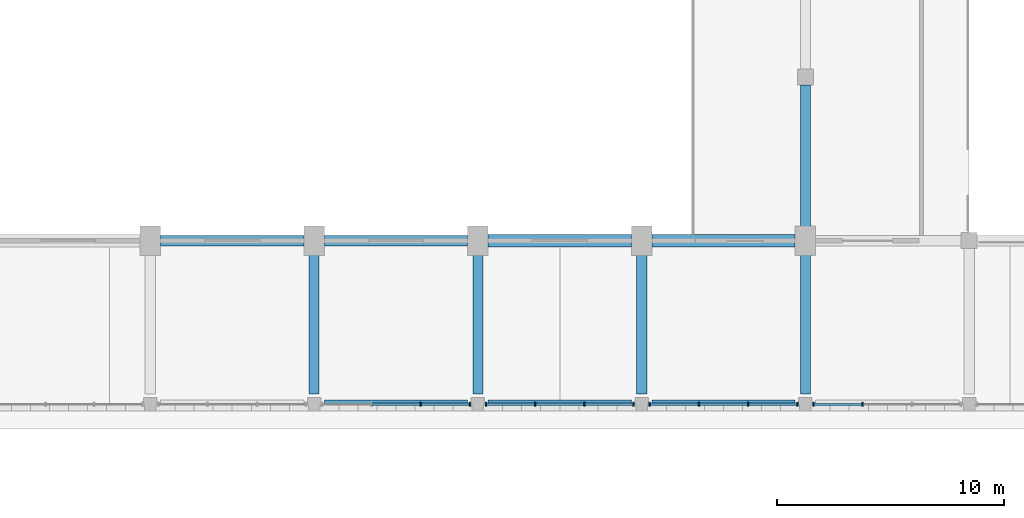
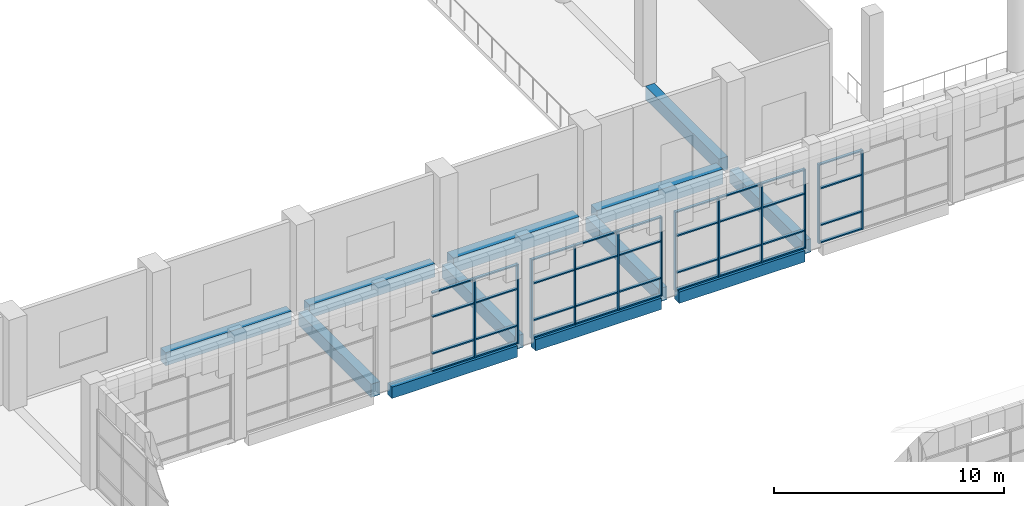
# One storey, part 23 of 80: 48 members, 12 beams, 4 elements without a shape of their own.
"""IFC4 building model written with IfcOpenShell, lengths in metres."""

from ifc_helpers import new_model, si_unit, direction, frame, origin, origin_2d, place, context, subcontext, project, spatial, rectangle, extrude, material, material_profile, profile_set, type_object, element, aggregate, save


model = new_model("IFC4")

# Units and contexts
model_context = context("Model", 3, precision=1e-05, world=origin(), true_north=direction((0.0, 1.0)))
body_context = subcontext(model_context, "Body", "Model", "MODEL_VIEW")
ifc_project = project(units=[si_unit("LENGTHUNIT", "METRE"), si_unit("AREAUNIT", "SQUARE_METRE"), si_unit("VOLUMEUNIT", "CUBIC_METRE"), si_unit("PLANEANGLEUNIT", "RADIAN"), si_unit("MASSUNIT", "GRAM", prefix="KILO")], contexts=[model_context])

# Site, building, storey
site_placement = place(None, origin())
site = spatial("IfcSite", under=ifc_project, at=site_placement, CompositionType="ELEMENT")
building_placement = place(site_placement, origin())
building = spatial("IfcBuilding", under=site, at=building_placement, Name="Sardonyx Promenade Sports Hall", CompositionType="ELEMENT")
storey_placement = place(building_placement, frame((0.0, 0.0, 5.60009765625)))
storey = spatial("IfcBuildingStorey", under=building, at=storey_placement, Name="L01", CompositionType="ELEMENT", Elevation=5.60009765625)

# Beams
ifc_material_1 = material(Name="Concrete C40/50", Category="concrete")
ifc_material_profile_1 = material_profile(ifc_material_1, rectangle(XDim=0.550048828125, YDim=0.800048828125, at=origin_2d()))
ifc_profile_set_1 = profile_set([ifc_material_profile_1], Name="Concrete C40/50")
beam_type_1 = type_object("IfcBeamType", Name="Bm_Girder_RC800", PredefinedType="BEAM", material=ifc_profile_set_1)
for number, where, z_axis, x_axis, name in (
    (1, (65.25, 72.0, -0.400146484375), (1.0, 0.0, 0.0), (0.0, 1.0, 0.0), "Beam BG04 L01 #272"),
    (2, (72.449951171875, 72.0, -0.400146484375), (1.0, 0.0, 0.0), (0.0, 1.0, 0.0), "Beam BG04 L01 #273"),
):
    element("IfcBeam", number, at=place(storey_placement, frame(where, z_axis=z_axis, x_axis=x_axis)), inside=storey, type_object=beam_type_1, Name=name, PredefinedType="BEAM", context=body_context, shape_type="SweptSolid", body=[
        extrude(rectangle(XDim=0.550048828125, YDim=0.800048828125, at=origin_2d()), origin(), (0.0, 0.0, 1.0), 6.300048828125),
    ])
ifc_material_2 = material(Name="Concrete C40/50", Category="concrete")
ifc_material_profile_2 = material_profile(ifc_material_2, rectangle(XDim=0.449951171875, YDim=0.699951171875, at=origin_2d()))
ifc_profile_set_2 = profile_set([ifc_material_profile_2], Name="Concrete C40/50")
beam_type_2 = type_object("IfcBeamType", Name="Bm_Primary_RC700", PredefinedType="BEAM", material=ifc_profile_set_2)
beam_1_placement = place(storey_placement, frame((50.85009765625, 72.0, -0.35009765625), z_axis=(1.0, 0.0, 0.0), x_axis=(0.0, 1.0, 0.0)))
element("IfcBeam", 3, at=beam_1_placement, inside=storey, type_object=beam_type_2, Name="Beam BG01 L01 #270", PredefinedType="BEAM", context=body_context, shape_type="SweptSolid", body=[
    extrude(rectangle(XDim=0.449951171875, YDim=0.699951171875, at=origin_2d()), origin(), (0.0, 0.0, 1.0), 6.2998046875),
])
for number, where, z_axis, x_axis, name in (
    (4, (58.050048828125, 72.0, -0.35009765625), (1.0, 0.0, 0.0), (0.0, 1.0, 0.0), "Beam BG01 L01 #271"),
    (5, (57.60009765625, 65.25, -0.35009765625), (0.0, 1.0, 0.0), (-1.0, 0.0, 0.0), "Beam BG01 L01 #337"),
    (6, (64.800048828125, 65.25, -0.35009765625), (0.0, 1.0, 0.0), (-1.0, 0.0, 0.0), "Beam BG01 L01 #338"),
    (7, (72.0, 65.25, -0.35009765625), (0.0, 1.0, 0.0), (-1.0, 0.0, 0.0), "Beam BG01 L01 #345"),
    (8, (79.199951171875, 65.25, -0.35009765625), (0.0, 1.0, 0.0), (-1.0, 0.0, 0.0), "Beam BG01 L01 #346"),
):
    element("IfcBeam", number, at=place(storey_placement, frame(where, z_axis=z_axis, x_axis=x_axis)), inside=storey, type_object=beam_type_2, Name=name, PredefinedType="BEAM", context=body_context, shape_type="SweptSolid", body=[
        extrude(rectangle(XDim=0.449951171875, YDim=0.699951171875, at=origin_2d()), origin(), (0.0, 0.0, 1.0), 6.300048828125),
    ])
beam_2_placement = place(storey_placement, frame((79.199951171875, 72.449951171875, -0.35009765625), z_axis=(0.0, 1.0, 0.0), x_axis=(-1.0, 0.0, 0.0)))
element("IfcBeam", 9, at=beam_2_placement, inside=storey, type_object=beam_type_2, Name="Beam BG01 L01 #347", PredefinedType="BEAM", context=body_context, shape_type="SweptSolid", body=[
    extrude(rectangle(XDim=0.449951171875, YDim=0.699951171875, at=origin_2d()), origin(), (0.0, 0.0, 1.0), 6.400146484375),
])
ifc_material_3 = material(Name="Concrete C40/50", Category="concrete")
ifc_material_profile_3 = material_profile(ifc_material_3, rectangle(XDim=0.39990234375, YDim=0.60009765625, at=origin_2d()))
ifc_profile_set_3 = profile_set([ifc_material_profile_3], Name="Concrete C40/50")
beam_type_3 = type_object("IfcBeamType", Name="Bm_Spandrel_RC600", PredefinedType="SPANDREL", material=ifc_profile_set_3)
for number, where, z_axis, x_axis, name in (
    (10, (58.050048828125, 64.800048828125, -0.300048828125), (1.0, 0.0, 0.0), (0.0, 1.0, 0.0), "Beam SPB1 L01 #259"),
    (11, (65.25, 64.800048828125, -0.300048828125), (1.0, 0.0, 0.0), (0.0, 1.0, 0.0), "Beam SPB1 L01 #260"),
    (12, (72.449951171875, 64.800048828125, -0.300048828125), (1.0, 0.0, 0.0), (0.0, 1.0, 0.0), "Beam SPB1 L01 #261"),
):
    element("IfcBeam", number, at=place(storey_placement, frame(where, z_axis=z_axis, x_axis=x_axis)), inside=storey, type_object=beam_type_3, Name=name, PredefinedType="SPANDREL", context=body_context, shape_type="SweptSolid", body=[
        extrude(rectangle(XDim=0.39990234375, YDim=0.60009765625, at=origin_2d()), origin(), (0.0, 0.0, 1.0), 6.300048828125),
    ])

# Curtain wall, members
ifc_material_4 = material(Name="Aluminium 6063-T6", Category="aluminium")
curtain_wall_type = type_object("IfcCurtainWallType", Name="CW_Riwaq_L01_640", PredefinedType="USERDEFINED", material=ifc_material_4)
curtain_wall_1_placement = place(storey_placement, origin())
curtain_wall_1 = element("IfcCurtainWall", 13, at=curtain_wall_1_placement, inside=storey, type_object=curtain_wall_type, Name="Curtain wall CW18 cw:L01:131", ObjectType="CURTAIN WALL", PredefinedType="USERDEFINED")
ifc_material_5 = material(Name="Aluminium 6063-T6", Category="aluminium")
ifc_material_profile_4 = material_profile(ifc_material_5, rectangle(XDim=0.06494140625, YDim=0.175048828125, at=origin_2d()))
ifc_profile_set_4 = profile_set([ifc_material_profile_4], Name="Aluminium 6063-T6")
member_type_1 = type_object("IfcMemberType", Name="CW_Mull_175", PredefinedType="MULLION", material=ifc_profile_set_4)
member_1_placement = place(storey_placement, frame((64.447509765625, 64.800048828125, 0.0), z_axis=(0.0, 0.0, 1.0), x_axis=(-1.0, 0.0, 0.0)))
member_1 = element("IfcMember", 14, at=member_1_placement, type_object=member_type_1, Name="Mullion CM02 cw:L01:131 #1", PredefinedType="MULLION", context=body_context, shape_type="SweptSolid", body=[
    extrude(rectangle(XDim=0.06494140625, YDim=0.175048828125, at=origin_2d()), origin(), (0.0, 0.0, 1.0), 4.199951171875),
])
member_2_placement = place(storey_placement, frame((62.282470703125, 64.800048828125, 0.0), z_axis=(0.0, 0.0, 1.0), x_axis=(-1.0, 0.0, 0.0)))
member_2 = element("IfcMember", 15, at=member_2_placement, type_object=member_type_1, Name="Mullion CM02 cw:L01:131 #2", PredefinedType="MULLION", context=body_context, shape_type="SweptSolid", body=[
    extrude(rectangle(XDim=0.06494140625, YDim=0.175048828125, at=origin_2d()), origin(), (0.0, 0.0, 1.0), 4.199951171875),
])

curtain_wall_2_placement = place(storey_placement, origin())
curtain_wall_2 = element("IfcCurtainWall", 16, at=curtain_wall_2_placement, inside=storey, type_object=curtain_wall_type, Name="Curtain wall CW18 cw:L01:133", ObjectType="CURTAIN WALL", PredefinedType="USERDEFINED")
member_3_placement = place(storey_placement, frame((71.6474609375, 64.800048828125, 0.0), z_axis=(0.0, 0.0, 1.0), x_axis=(-1.0, 0.0, 0.0)))
member_3 = element("IfcMember", 17, at=member_3_placement, type_object=member_type_1, Name="Mullion CM02 cw:L01:133 #1", PredefinedType="MULLION", context=body_context, shape_type="SweptSolid", body=[
    extrude(rectangle(XDim=0.06494140625, YDim=0.175048828125, at=origin_2d()), origin(), (0.0, 0.0, 1.0), 4.199951171875),
])
member_4_placement = place(storey_placement, frame((69.482421875, 64.800048828125, 0.0), z_axis=(0.0, 0.0, 1.0), x_axis=(-1.0, 0.0, 0.0)))
member_4 = element("IfcMember", 18, at=member_4_placement, type_object=member_type_1, Name="Mullion CM02 cw:L01:133 #2", PredefinedType="MULLION", context=body_context, shape_type="SweptSolid", body=[
    extrude(rectangle(XDim=0.06494140625, YDim=0.175048828125, at=origin_2d()), origin(), (0.0, 0.0, 1.0), 4.199951171875),
])
member_5_placement = place(storey_placement, frame((67.3173828125, 64.800048828125, 0.0), z_axis=(0.0, 0.0, 1.0), x_axis=(-1.0, 0.0, 0.0)))
member_5 = element("IfcMember", 19, at=member_5_placement, type_object=member_type_1, Name="Mullion CM02 cw:L01:133 #3", PredefinedType="MULLION", context=body_context, shape_type="SweptSolid", body=[
    extrude(rectangle(XDim=0.06494140625, YDim=0.175048828125, at=origin_2d()), origin(), (0.0, 0.0, 1.0), 4.199951171875),
])
member_6_placement = place(storey_placement, frame((65.152587890625, 64.800048828125, 0.0), z_axis=(0.0, 0.0, 1.0), x_axis=(-1.0, 0.0, 0.0)))
member_6 = element("IfcMember", 20, at=member_6_placement, type_object=member_type_1, Name="Mullion CM02 cw:L01:133 #4", PredefinedType="MULLION", context=body_context, shape_type="SweptSolid", body=[
    extrude(rectangle(XDim=0.06494140625, YDim=0.175048828125, at=origin_2d()), origin(), (0.0, 0.0, 1.0), 4.199951171875),
])

curtain_wall_3_placement = place(storey_placement, origin())
curtain_wall_3 = element("IfcCurtainWall", 21, at=curtain_wall_3_placement, inside=storey, type_object=curtain_wall_type, Name="Curtain wall CW18 cw:L01:135", ObjectType="CURTAIN WALL", PredefinedType="USERDEFINED")
member_7_placement = place(storey_placement, frame((78.847412109375, 64.800048828125, 0.0), z_axis=(0.0, 0.0, 1.0), x_axis=(-1.0, 0.0, 0.0)))
member_7 = element("IfcMember", 22, at=member_7_placement, type_object=member_type_1, Name="Mullion CM02 cw:L01:135 #1", PredefinedType="MULLION", context=body_context, shape_type="SweptSolid", body=[
    extrude(rectangle(XDim=0.06494140625, YDim=0.175048828125, at=origin_2d()), origin(), (0.0, 0.0, 1.0), 4.199951171875),
])
member_8_placement = place(storey_placement, frame((76.6826171875, 64.800048828125, 0.0), z_axis=(0.0, 0.0, 1.0), x_axis=(-1.0, 0.0, 0.0)))
member_8 = element("IfcMember", 23, at=member_8_placement, type_object=member_type_1, Name="Mullion CM02 cw:L01:135 #2", PredefinedType="MULLION", context=body_context, shape_type="SweptSolid", body=[
    extrude(rectangle(XDim=0.06494140625, YDim=0.175048828125, at=origin_2d()), origin(), (0.0, 0.0, 1.0), 4.199951171875),
])
member_9_placement = place(storey_placement, frame((74.517578125, 64.800048828125, 0.0), z_axis=(0.0, 0.0, 1.0), x_axis=(-1.0, 0.0, 0.0)))
member_9 = element("IfcMember", 24, at=member_9_placement, type_object=member_type_1, Name="Mullion CM02 cw:L01:135 #3", PredefinedType="MULLION", context=body_context, shape_type="SweptSolid", body=[
    extrude(rectangle(XDim=0.06494140625, YDim=0.175048828125, at=origin_2d()), origin(), (0.0, 0.0, 1.0), 4.199951171875),
])
member_10_placement = place(storey_placement, frame((72.3525390625, 64.800048828125, 0.0), z_axis=(0.0, 0.0, 1.0), x_axis=(-1.0, 0.0, 0.0)))
member_10 = element("IfcMember", 25, at=member_10_placement, type_object=member_type_1, Name="Mullion CM02 cw:L01:135 #4", PredefinedType="MULLION", context=body_context, shape_type="SweptSolid", body=[
    extrude(rectangle(XDim=0.06494140625, YDim=0.175048828125, at=origin_2d()), origin(), (0.0, 0.0, 1.0), 4.199951171875),
])

curtain_wall_4_placement = place(storey_placement, origin())
curtain_wall_4 = element("IfcCurtainWall", 26, at=curtain_wall_4_placement, inside=storey, type_object=curtain_wall_type, Name="Curtain wall CW18 cw:L01:137", ObjectType="CURTAIN WALL", PredefinedType="USERDEFINED")
member_11_placement = place(storey_placement, frame((81.717529296875, 64.800048828125, 0.0), z_axis=(0.0, 0.0, 1.0), x_axis=(-1.0, 0.0, 0.0)))
member_11 = element("IfcMember", 27, at=member_11_placement, type_object=member_type_1, Name="Mullion CM02 cw:L01:137 #3", PredefinedType="MULLION", context=body_context, shape_type="SweptSolid", body=[
    extrude(rectangle(XDim=0.06494140625, YDim=0.175048828125, at=origin_2d()), origin(), (0.0, 0.0, 1.0), 4.199951171875),
])
member_12_placement = place(storey_placement, frame((79.552490234375, 64.800048828125, 0.0), z_axis=(0.0, 0.0, 1.0), x_axis=(-1.0, 0.0, 0.0)))
member_12 = element("IfcMember", 28, at=member_12_placement, type_object=member_type_1, Name="Mullion CM02 cw:L01:137 #4", PredefinedType="MULLION", context=body_context, shape_type="SweptSolid", body=[
    extrude(rectangle(XDim=0.06494140625, YDim=0.175048828125, at=origin_2d()), origin(), (0.0, 0.0, 1.0), 4.199951171875),
])

# Member
ifc_material_6 = material(Name="Aluminium 6063-T6", Category="aluminium")
ifc_material_profile_5 = material_profile(ifc_material_6, rectangle(XDim=0.06494140625, YDim=0.139892578125, at=origin_2d()))
ifc_profile_set_5 = profile_set([ifc_material_profile_5], Name="Aluminium 6063-T6")
member_type_2 = type_object("IfcMemberType", Name="CW_Tran_140", PredefinedType="USERDEFINED", material=ifc_profile_set_5)
member_13_placement = place(storey_placement, frame((64.4150390625, 64.800048828125, 0.032470703125), z_axis=(-1.0, 0.0, 0.0), x_axis=(0.0, 0.0, 1.0)))
member_13 = element("IfcMember", 29, at=member_13_placement, type_object=member_type_2, Name="Transom CT02 cw:L01:131 #1", ObjectType="TRANSOM", PredefinedType="USERDEFINED", context=body_context, shape_type="SweptSolid", body=[
    extrude(rectangle(XDim=0.06494140625, YDim=0.139892578125, at=origin_2d()), origin(), (0.0, 0.0, 1.0), 2.10009765625),
])

member_14_placement = place(storey_placement, frame((64.4150390625, 64.800048828125, 0.949951171875), z_axis=(-1.0, 0.0, 0.0), x_axis=(0.0, 0.0, 1.0)))
member_14 = element("IfcMember", 30, at=member_14_placement, type_object=member_type_2, Name="Transom CT02 cw:L01:131 #2", ObjectType="TRANSOM", PredefinedType="USERDEFINED", context=body_context, shape_type="SweptSolid", body=[
    extrude(rectangle(XDim=0.06494140625, YDim=0.139892578125, at=origin_2d()), origin(), (0.0, 0.0, 1.0), 2.10009765625),
])

member_15_placement = place(storey_placement, frame((64.4150390625, 64.800048828125, 2.89990234375), z_axis=(-1.0, 0.0, 0.0), x_axis=(0.0, 0.0, 1.0)))
member_15 = element("IfcMember", 31, at=member_15_placement, type_object=member_type_2, Name="Transom CT02 cw:L01:131 #3", ObjectType="TRANSOM", PredefinedType="USERDEFINED", context=body_context, shape_type="SweptSolid", body=[
    extrude(rectangle(XDim=0.06494140625, YDim=0.139892578125, at=origin_2d()), origin(), (0.0, 0.0, 1.0), 2.10009765625),
])

member_16_placement = place(storey_placement, frame((64.4150390625, 64.800048828125, 4.16748046875), z_axis=(-1.0, 0.0, 0.0), x_axis=(0.0, 0.0, 1.0)))
member_16 = element("IfcMember", 32, at=member_16_placement, type_object=member_type_2, Name="Transom CT02 cw:L01:131 #4", ObjectType="TRANSOM", PredefinedType="USERDEFINED", context=body_context, shape_type="SweptSolid", body=[
    extrude(rectangle(XDim=0.06494140625, YDim=0.139892578125, at=origin_2d()), origin(), (0.0, 0.0, 1.0), 2.10009765625),
])

member_17_placement = place(storey_placement, frame((62.25, 64.800048828125, 0.032470703125), z_axis=(-1.0, 0.0, 0.0), x_axis=(0.0, 0.0, 1.0)))
member_17 = element("IfcMember", 33, at=member_17_placement, type_object=member_type_2, Name="Transom CT02 cw:L01:131 #5", ObjectType="TRANSOM", PredefinedType="USERDEFINED", context=body_context, shape_type="SweptSolid", body=[
    extrude(rectangle(XDim=0.06494140625, YDim=0.139892578125, at=origin_2d()), origin(), (0.0, 0.0, 1.0), 2.10009765625),
])

member_18_placement = place(storey_placement, frame((62.25, 64.800048828125, 0.949951171875), z_axis=(-1.0, 0.0, 0.0), x_axis=(0.0, 0.0, 1.0)))
member_18 = element("IfcMember", 34, at=member_18_placement, type_object=member_type_2, Name="Transom CT02 cw:L01:131 #6", ObjectType="TRANSOM", PredefinedType="USERDEFINED", context=body_context, shape_type="SweptSolid", body=[
    extrude(rectangle(XDim=0.06494140625, YDim=0.139892578125, at=origin_2d()), origin(), (0.0, 0.0, 1.0), 2.10009765625),
])

member_19_placement = place(storey_placement, frame((62.25, 64.800048828125, 2.89990234375), z_axis=(-1.0, 0.0, 0.0), x_axis=(0.0, 0.0, 1.0)))
member_19 = element("IfcMember", 35, at=member_19_placement, type_object=member_type_2, Name="Transom CT02 cw:L01:131 #7", ObjectType="TRANSOM", PredefinedType="USERDEFINED", context=body_context, shape_type="SweptSolid", body=[
    extrude(rectangle(XDim=0.06494140625, YDim=0.139892578125, at=origin_2d()), origin(), (0.0, 0.0, 1.0), 2.10009765625),
])

member_20_placement = place(storey_placement, frame((62.25, 64.800048828125, 4.16748046875), z_axis=(-1.0, 0.0, 0.0), x_axis=(0.0, 0.0, 1.0)))
member_20 = element("IfcMember", 36, at=member_20_placement, type_object=member_type_2, Name="Transom CT02 cw:L01:131 #8", ObjectType="TRANSOM", PredefinedType="USERDEFINED", context=body_context, shape_type="SweptSolid", body=[
    extrude(rectangle(XDim=0.06494140625, YDim=0.139892578125, at=origin_2d()), origin(), (0.0, 0.0, 1.0), 2.10009765625),
])

aggregate(curtain_wall_1, [member_1, member_2, member_13, member_14, member_15, member_16, member_17, member_18, member_19, member_20])

member_21_placement = place(storey_placement, frame((71.614990234375, 64.800048828125, 0.032470703125), z_axis=(-1.0, 0.0, 0.0), x_axis=(0.0, 0.0, 1.0)))
member_21 = element("IfcMember", 37, at=member_21_placement, type_object=member_type_2, Name="Transom CT02 cw:L01:133 #1", ObjectType="TRANSOM", PredefinedType="USERDEFINED", context=body_context, shape_type="SweptSolid", body=[
    extrude(rectangle(XDim=0.06494140625, YDim=0.139892578125, at=origin_2d()), origin(), (0.0, 0.0, 1.0), 2.10009765625),
])

member_22_placement = place(storey_placement, frame((71.614990234375, 64.800048828125, 0.949951171875), z_axis=(-1.0, 0.0, 0.0), x_axis=(0.0, 0.0, 1.0)))
member_22 = element("IfcMember", 38, at=member_22_placement, type_object=member_type_2, Name="Transom CT02 cw:L01:133 #2", ObjectType="TRANSOM", PredefinedType="USERDEFINED", context=body_context, shape_type="SweptSolid", body=[
    extrude(rectangle(XDim=0.06494140625, YDim=0.139892578125, at=origin_2d()), origin(), (0.0, 0.0, 1.0), 2.10009765625),
])

member_23_placement = place(storey_placement, frame((71.614990234375, 64.800048828125, 2.89990234375), z_axis=(-1.0, 0.0, 0.0), x_axis=(0.0, 0.0, 1.0)))
member_23 = element("IfcMember", 39, at=member_23_placement, type_object=member_type_2, Name="Transom CT02 cw:L01:133 #3", ObjectType="TRANSOM", PredefinedType="USERDEFINED", context=body_context, shape_type="SweptSolid", body=[
    extrude(rectangle(XDim=0.06494140625, YDim=0.139892578125, at=origin_2d()), origin(), (0.0, 0.0, 1.0), 2.10009765625),
])

member_24_placement = place(storey_placement, frame((71.614990234375, 64.800048828125, 4.16748046875), z_axis=(-1.0, 0.0, 0.0), x_axis=(0.0, 0.0, 1.0)))
member_24 = element("IfcMember", 40, at=member_24_placement, type_object=member_type_2, Name="Transom CT02 cw:L01:133 #4", ObjectType="TRANSOM", PredefinedType="USERDEFINED", context=body_context, shape_type="SweptSolid", body=[
    extrude(rectangle(XDim=0.06494140625, YDim=0.139892578125, at=origin_2d()), origin(), (0.0, 0.0, 1.0), 2.10009765625),
])

member_25_placement = place(storey_placement, frame((69.449951171875, 64.800048828125, 0.032470703125), z_axis=(-1.0, 0.0, 0.0), x_axis=(0.0, 0.0, 1.0)))
member_25 = element("IfcMember", 41, at=member_25_placement, type_object=member_type_2, Name="Transom CT02 cw:L01:133 #5", ObjectType="TRANSOM", PredefinedType="USERDEFINED", context=body_context, shape_type="SweptSolid", body=[
    extrude(rectangle(XDim=0.06494140625, YDim=0.139892578125, at=origin_2d()), origin(), (0.0, 0.0, 1.0), 2.099853515625),
])

member_26_placement = place(storey_placement, frame((69.449951171875, 64.800048828125, 0.949951171875), z_axis=(-1.0, 0.0, 0.0), x_axis=(0.0, 0.0, 1.0)))
member_26 = element("IfcMember", 42, at=member_26_placement, type_object=member_type_2, Name="Transom CT02 cw:L01:133 #6", ObjectType="TRANSOM", PredefinedType="USERDEFINED", context=body_context, shape_type="SweptSolid", body=[
    extrude(rectangle(XDim=0.06494140625, YDim=0.139892578125, at=origin_2d()), origin(), (0.0, 0.0, 1.0), 2.099853515625),
])

member_27_placement = place(storey_placement, frame((69.449951171875, 64.800048828125, 2.89990234375), z_axis=(-1.0, 0.0, 0.0), x_axis=(0.0, 0.0, 1.0)))
member_27 = element("IfcMember", 43, at=member_27_placement, type_object=member_type_2, Name="Transom CT02 cw:L01:133 #7", ObjectType="TRANSOM", PredefinedType="USERDEFINED", context=body_context, shape_type="SweptSolid", body=[
    extrude(rectangle(XDim=0.06494140625, YDim=0.139892578125, at=origin_2d()), origin(), (0.0, 0.0, 1.0), 2.099853515625),
])

member_28_placement = place(storey_placement, frame((69.449951171875, 64.800048828125, 4.16748046875), z_axis=(-1.0, 0.0, 0.0), x_axis=(0.0, 0.0, 1.0)))
member_28 = element("IfcMember", 44, at=member_28_placement, type_object=member_type_2, Name="Transom CT02 cw:L01:133 #8", ObjectType="TRANSOM", PredefinedType="USERDEFINED", context=body_context, shape_type="SweptSolid", body=[
    extrude(rectangle(XDim=0.06494140625, YDim=0.139892578125, at=origin_2d()), origin(), (0.0, 0.0, 1.0), 2.099853515625),
])

member_29_placement = place(storey_placement, frame((67.284912109375, 64.800048828125, 0.032470703125), z_axis=(-1.0, 0.0, 0.0), x_axis=(0.0, 0.0, 1.0)))
member_29 = element("IfcMember", 45, at=member_29_placement, type_object=member_type_2, Name="Transom CT02 cw:L01:133 #9", ObjectType="TRANSOM", PredefinedType="USERDEFINED", context=body_context, shape_type="SweptSolid", body=[
    extrude(rectangle(XDim=0.06494140625, YDim=0.139892578125, at=origin_2d()), origin(), (0.0, 0.0, 1.0), 2.099853515625),
])

member_30_placement = place(storey_placement, frame((67.284912109375, 64.800048828125, 0.949951171875), z_axis=(-1.0, 0.0, 0.0), x_axis=(0.0, 0.0, 1.0)))
member_30 = element("IfcMember", 46, at=member_30_placement, type_object=member_type_2, Name="Transom CT02 cw:L01:133 #10", ObjectType="TRANSOM", PredefinedType="USERDEFINED", context=body_context, shape_type="SweptSolid", body=[
    extrude(rectangle(XDim=0.06494140625, YDim=0.139892578125, at=origin_2d()), origin(), (0.0, 0.0, 1.0), 2.099853515625),
])

member_31_placement = place(storey_placement, frame((67.284912109375, 64.800048828125, 2.89990234375), z_axis=(-1.0, 0.0, 0.0), x_axis=(0.0, 0.0, 1.0)))
member_31 = element("IfcMember", 47, at=member_31_placement, type_object=member_type_2, Name="Transom CT02 cw:L01:133 #11", ObjectType="TRANSOM", PredefinedType="USERDEFINED", context=body_context, shape_type="SweptSolid", body=[
    extrude(rectangle(XDim=0.06494140625, YDim=0.139892578125, at=origin_2d()), origin(), (0.0, 0.0, 1.0), 2.099853515625),
])

member_32_placement = place(storey_placement, frame((67.284912109375, 64.800048828125, 4.16748046875), z_axis=(-1.0, 0.0, 0.0), x_axis=(0.0, 0.0, 1.0)))
member_32 = element("IfcMember", 48, at=member_32_placement, type_object=member_type_2, Name="Transom CT02 cw:L01:133 #12", ObjectType="TRANSOM", PredefinedType="USERDEFINED", context=body_context, shape_type="SweptSolid", body=[
    extrude(rectangle(XDim=0.06494140625, YDim=0.139892578125, at=origin_2d()), origin(), (0.0, 0.0, 1.0), 2.099853515625),
])

aggregate(curtain_wall_2, [member_3, member_4, member_5, member_6, member_21, member_22, member_23, member_24, member_25, member_26, member_27, member_28, member_29, member_30, member_31, member_32])

member_33_placement = place(storey_placement, frame((78.81494140625, 64.800048828125, 0.032470703125), z_axis=(-1.0, 0.0, 0.0), x_axis=(0.0, 0.0, 1.0)))
member_33 = element("IfcMember", 49, at=member_33_placement, type_object=member_type_2, Name="Transom CT02 cw:L01:135 #1", ObjectType="TRANSOM", PredefinedType="USERDEFINED", context=body_context, shape_type="SweptSolid", body=[
    extrude(rectangle(XDim=0.06494140625, YDim=0.139892578125, at=origin_2d()), origin(), (0.0, 0.0, 1.0), 2.099853515625),
])

member_34_placement = place(storey_placement, frame((78.81494140625, 64.800048828125, 0.949951171875), z_axis=(-1.0, 0.0, 0.0), x_axis=(0.0, 0.0, 1.0)))
member_34 = element("IfcMember", 50, at=member_34_placement, type_object=member_type_2, Name="Transom CT02 cw:L01:135 #2", ObjectType="TRANSOM", PredefinedType="USERDEFINED", context=body_context, shape_type="SweptSolid", body=[
    extrude(rectangle(XDim=0.06494140625, YDim=0.139892578125, at=origin_2d()), origin(), (0.0, 0.0, 1.0), 2.099853515625),
])

member_35_placement = place(storey_placement, frame((78.81494140625, 64.800048828125, 2.89990234375), z_axis=(-1.0, 0.0, 0.0), x_axis=(0.0, 0.0, 1.0)))
member_35 = element("IfcMember", 51, at=member_35_placement, type_object=member_type_2, Name="Transom CT02 cw:L01:135 #3", ObjectType="TRANSOM", PredefinedType="USERDEFINED", context=body_context, shape_type="SweptSolid", body=[
    extrude(rectangle(XDim=0.06494140625, YDim=0.139892578125, at=origin_2d()), origin(), (0.0, 0.0, 1.0), 2.099853515625),
])

member_36_placement = place(storey_placement, frame((78.81494140625, 64.800048828125, 4.16748046875), z_axis=(-1.0, 0.0, 0.0), x_axis=(0.0, 0.0, 1.0)))
member_36 = element("IfcMember", 52, at=member_36_placement, type_object=member_type_2, Name="Transom CT02 cw:L01:135 #4", ObjectType="TRANSOM", PredefinedType="USERDEFINED", context=body_context, shape_type="SweptSolid", body=[
    extrude(rectangle(XDim=0.06494140625, YDim=0.139892578125, at=origin_2d()), origin(), (0.0, 0.0, 1.0), 2.099853515625),
])

member_37_placement = place(storey_placement, frame((76.64990234375, 64.800048828125, 0.032470703125), z_axis=(-1.0, 0.0, 0.0), x_axis=(0.0, 0.0, 1.0)))
member_37 = element("IfcMember", 53, at=member_37_placement, type_object=member_type_2, Name="Transom CT02 cw:L01:135 #5", ObjectType="TRANSOM", PredefinedType="USERDEFINED", context=body_context, shape_type="SweptSolid", body=[
    extrude(rectangle(XDim=0.06494140625, YDim=0.139892578125, at=origin_2d()), origin(), (0.0, 0.0, 1.0), 2.099853515625),
])

member_38_placement = place(storey_placement, frame((76.64990234375, 64.800048828125, 0.949951171875), z_axis=(-1.0, 0.0, 0.0), x_axis=(0.0, 0.0, 1.0)))
member_38 = element("IfcMember", 54, at=member_38_placement, type_object=member_type_2, Name="Transom CT02 cw:L01:135 #6", ObjectType="TRANSOM", PredefinedType="USERDEFINED", context=body_context, shape_type="SweptSolid", body=[
    extrude(rectangle(XDim=0.06494140625, YDim=0.139892578125, at=origin_2d()), origin(), (0.0, 0.0, 1.0), 2.099853515625),
])

member_39_placement = place(storey_placement, frame((76.64990234375, 64.800048828125, 2.89990234375), z_axis=(-1.0, 0.0, 0.0), x_axis=(0.0, 0.0, 1.0)))
member_39 = element("IfcMember", 55, at=member_39_placement, type_object=member_type_2, Name="Transom CT02 cw:L01:135 #7", ObjectType="TRANSOM", PredefinedType="USERDEFINED", context=body_context, shape_type="SweptSolid", body=[
    extrude(rectangle(XDim=0.06494140625, YDim=0.139892578125, at=origin_2d()), origin(), (0.0, 0.0, 1.0), 2.099853515625),
])

member_40_placement = place(storey_placement, frame((76.64990234375, 64.800048828125, 4.16748046875), z_axis=(-1.0, 0.0, 0.0), x_axis=(0.0, 0.0, 1.0)))
member_40 = element("IfcMember", 56, at=member_40_placement, type_object=member_type_2, Name="Transom CT02 cw:L01:135 #8", ObjectType="TRANSOM", PredefinedType="USERDEFINED", context=body_context, shape_type="SweptSolid", body=[
    extrude(rectangle(XDim=0.06494140625, YDim=0.139892578125, at=origin_2d()), origin(), (0.0, 0.0, 1.0), 2.099853515625),
])

member_41_placement = place(storey_placement, frame((74.485107421875, 64.800048828125, 0.032470703125), z_axis=(-1.0, 0.0, 0.0), x_axis=(0.0, 0.0, 1.0)))
member_41 = element("IfcMember", 57, at=member_41_placement, type_object=member_type_2, Name="Transom CT02 cw:L01:135 #9", ObjectType="TRANSOM", PredefinedType="USERDEFINED", context=body_context, shape_type="SweptSolid", body=[
    extrude(rectangle(XDim=0.06494140625, YDim=0.139892578125, at=origin_2d()), origin(), (0.0, 0.0, 1.0), 2.10009765625),
])

member_42_placement = place(storey_placement, frame((74.485107421875, 64.800048828125, 0.949951171875), z_axis=(-1.0, 0.0, 0.0), x_axis=(0.0, 0.0, 1.0)))
member_42 = element("IfcMember", 58, at=member_42_placement, type_object=member_type_2, Name="Transom CT02 cw:L01:135 #10", ObjectType="TRANSOM", PredefinedType="USERDEFINED", context=body_context, shape_type="SweptSolid", body=[
    extrude(rectangle(XDim=0.06494140625, YDim=0.139892578125, at=origin_2d()), origin(), (0.0, 0.0, 1.0), 2.10009765625),
])

member_43_placement = place(storey_placement, frame((74.485107421875, 64.800048828125, 2.89990234375), z_axis=(-1.0, 0.0, 0.0), x_axis=(0.0, 0.0, 1.0)))
member_43 = element("IfcMember", 59, at=member_43_placement, type_object=member_type_2, Name="Transom CT02 cw:L01:135 #11", ObjectType="TRANSOM", PredefinedType="USERDEFINED", context=body_context, shape_type="SweptSolid", body=[
    extrude(rectangle(XDim=0.06494140625, YDim=0.139892578125, at=origin_2d()), origin(), (0.0, 0.0, 1.0), 2.10009765625),
])

member_44_placement = place(storey_placement, frame((74.485107421875, 64.800048828125, 4.16748046875), z_axis=(-1.0, 0.0, 0.0), x_axis=(0.0, 0.0, 1.0)))
member_44 = element("IfcMember", 60, at=member_44_placement, type_object=member_type_2, Name="Transom CT02 cw:L01:135 #12", ObjectType="TRANSOM", PredefinedType="USERDEFINED", context=body_context, shape_type="SweptSolid", body=[
    extrude(rectangle(XDim=0.06494140625, YDim=0.139892578125, at=origin_2d()), origin(), (0.0, 0.0, 1.0), 2.10009765625),
])

aggregate(curtain_wall_3, [member_7, member_8, member_9, member_10, member_33, member_34, member_35, member_36, member_37, member_38, member_39, member_40, member_41, member_42, member_43, member_44])

member_45_placement = place(storey_placement, frame((81.68505859375, 64.800048828125, 0.032470703125), z_axis=(-1.0, 0.0, 0.0), x_axis=(0.0, 0.0, 1.0)))
member_45 = element("IfcMember", 61, at=member_45_placement, type_object=member_type_2, Name="Transom CT02 cw:L01:137 #9", ObjectType="TRANSOM", PredefinedType="USERDEFINED", context=body_context, shape_type="SweptSolid", body=[
    extrude(rectangle(XDim=0.06494140625, YDim=0.139892578125, at=origin_2d()), origin(), (0.0, 0.0, 1.0), 2.10009765625),
])

member_46_placement = place(storey_placement, frame((81.68505859375, 64.800048828125, 0.949951171875), z_axis=(-1.0, 0.0, 0.0), x_axis=(0.0, 0.0, 1.0)))
member_46 = element("IfcMember", 62, at=member_46_placement, type_object=member_type_2, Name="Transom CT02 cw:L01:137 #10", ObjectType="TRANSOM", PredefinedType="USERDEFINED", context=body_context, shape_type="SweptSolid", body=[
    extrude(rectangle(XDim=0.06494140625, YDim=0.139892578125, at=origin_2d()), origin(), (0.0, 0.0, 1.0), 2.10009765625),
])

member_47_placement = place(storey_placement, frame((81.68505859375, 64.800048828125, 2.89990234375), z_axis=(-1.0, 0.0, 0.0), x_axis=(0.0, 0.0, 1.0)))
member_47 = element("IfcMember", 63, at=member_47_placement, type_object=member_type_2, Name="Transom CT02 cw:L01:137 #11", ObjectType="TRANSOM", PredefinedType="USERDEFINED", context=body_context, shape_type="SweptSolid", body=[
    extrude(rectangle(XDim=0.06494140625, YDim=0.139892578125, at=origin_2d()), origin(), (0.0, 0.0, 1.0), 2.10009765625),
])

member_48_placement = place(storey_placement, frame((81.68505859375, 64.800048828125, 4.16748046875), z_axis=(-1.0, 0.0, 0.0), x_axis=(0.0, 0.0, 1.0)))
member_48 = element("IfcMember", 64, at=member_48_placement, type_object=member_type_2, Name="Transom CT02 cw:L01:137 #12", ObjectType="TRANSOM", PredefinedType="USERDEFINED", context=body_context, shape_type="SweptSolid", body=[
    extrude(rectangle(XDim=0.06494140625, YDim=0.139892578125, at=origin_2d()), origin(), (0.0, 0.0, 1.0), 2.10009765625),
])

aggregate(curtain_wall_4, [member_11, member_12, member_45, member_46, member_47, member_48])

save(model, "model.ifc")
